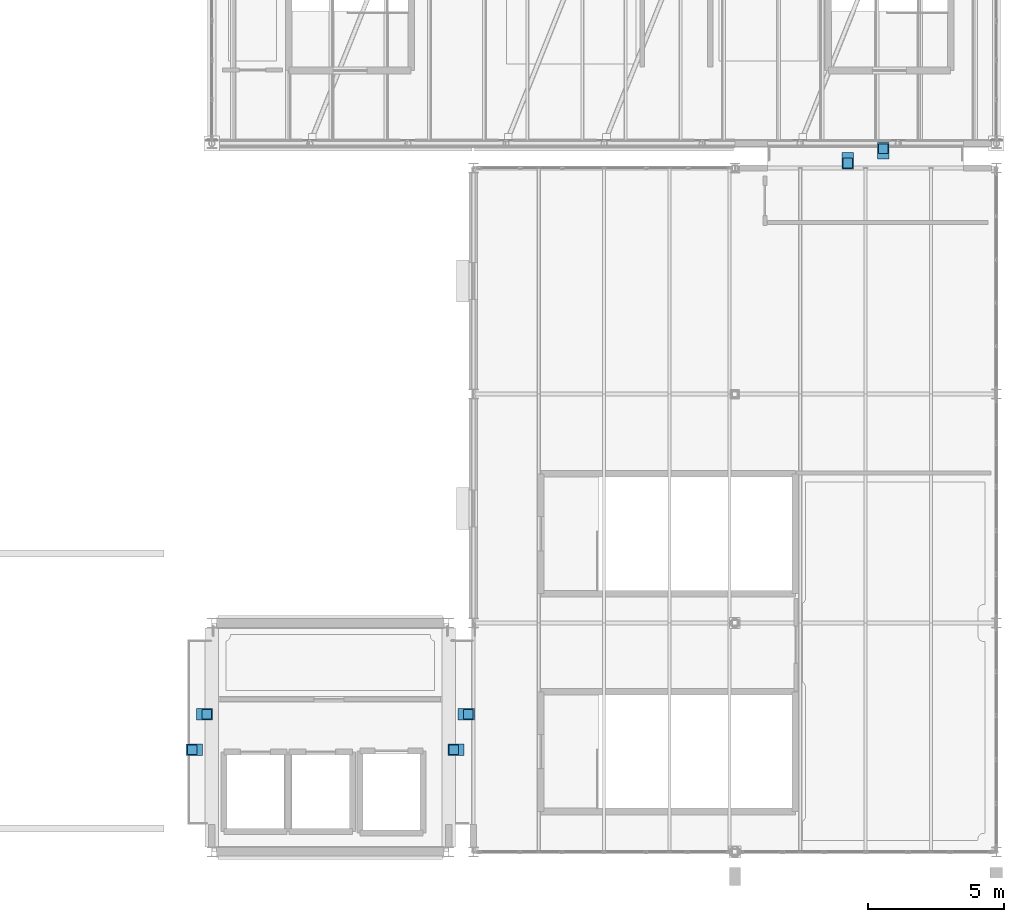
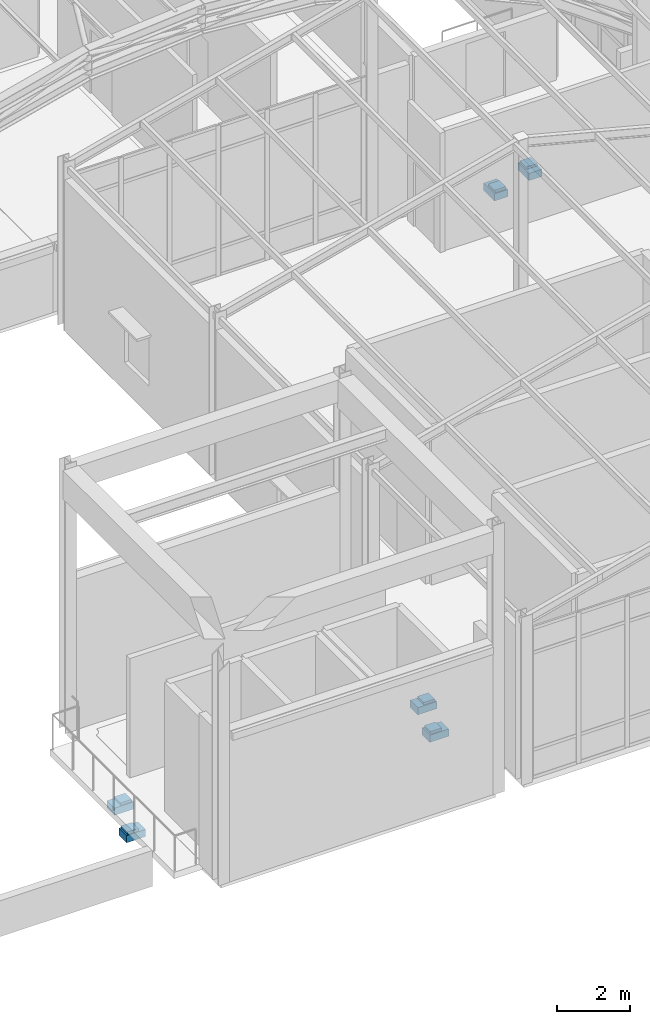
# One storey, part 118 of 121: 12 discrete accessories.
"""IFC4 building model written with IfcOpenShell, lengths in metres."""

from ifc_helpers import new_model, si_unit, direction, frame, origin, origin_2d, place, context, subcontext, project, spatial, rectangle, extrude, material, layer, layer_set, type_object, element, save


model = new_model("IFC4")

# Units and contexts
model_context = context("Model", 3, precision=1e-05, world=origin(), true_north=direction((0.0, 1.0)))
body_context = subcontext(model_context, "Body", "Model", "MODEL_VIEW")
ifc_project = project(units=[si_unit("LENGTHUNIT", "METRE"), si_unit("AREAUNIT", "SQUARE_METRE"), si_unit("VOLUMEUNIT", "CUBIC_METRE"), si_unit("PLANEANGLEUNIT", "RADIAN"), si_unit("MASSUNIT", "GRAM", prefix="KILO")], contexts=[model_context])

# Site, building, storey
site_placement = place(None, origin())
site = spatial("IfcSite", under=ifc_project, at=site_placement, CompositionType="ELEMENT")
building_placement = place(site_placement, origin())
building = spatial("IfcBuilding", under=site, at=building_placement, Name="Canglan Escarpment Cableway Terminal", CompositionType="ELEMENT")
storey_placement = place(building_placement, frame((0.0, 0.0, 24.60009765625)))
storey = spatial("IfcBuildingStorey", under=building, at=storey_placement, Name="L05", CompositionType="ELEMENT", Elevation=24.60009765625)

# Discrete accessories
ifc_material_1 = material(Name="Concrete C40", Category="concrete")
ifc_layer_1 = layer(ifc_material_1, 0.239990234375, Name="Concrete C40")
ifc_layer_set_1 = layer_set([ifc_layer_1], Name="Concrete C40")
discrete_accessory_type_1 = type_object("IfcDiscreteAccessoryType", Name="ACC-CORBEL-CB01", PredefinedType="BRACKET", material=ifc_layer_set_1)
for number, where, z_axis, x_axis, name in (
    (1, (136.9599609375, 11.75, -0.5400390625), (0.0, 0.0, 1.0), (1.0, 0.0, 0.0), "Concrete C40 movement-joint corbel bearing ledge CB-01"),
    (2, (137.3349609375, 13.050048828125, -0.5400390625), (0.0, 0.0, 1.0), (1.0, 0.0, 0.0), "Concrete C40 movement-joint corbel bearing ledge CB-01"),
    (3, (146.56494140625, 11.75, -0.5400390625), (0.0, 0.0, 1.0), (1.0, 0.0, 0.0), "Concrete C40 movement-joint corbel bearing ledge CB-01"),
    (4, (146.93505859375, 13.050048828125, -0.5400390625), (0.0, 0.0, 1.0), (1.0, 0.0, 0.0), "Concrete C40 movement-joint corbel bearing ledge CB-01"),
):
    element("IfcDiscreteAccessory", number, at=place(storey_placement, frame(where, z_axis=z_axis, x_axis=x_axis)), inside=storey, type_object=discrete_accessory_type_1, Name=name, PredefinedType="BRACKET", context=body_context, shape_type="SweptSolid", body=[
        extrude(rectangle(XDim=0.60009765625, YDim=0.419921875, at=origin_2d()), origin(), (0.0, 0.0, 1.0), 0.239990234375),
    ])
for number, where, z_axis, x_axis, name in (
    (5, (160.949951171875, 33.364990234375, -0.5400390625), (0.0, 0.0, 1.0), (1.0, 0.0, 0.0), "Concrete C40 movement-joint corbel bearing ledge CB-01"),
    (6, (162.25, 33.735107421875, -0.5400390625), (0.0, 0.0, 1.0), (1.0, 0.0, 0.0), "Concrete C40 movement-joint corbel bearing ledge CB-01"),
):
    element("IfcDiscreteAccessory", number, at=place(storey_placement, frame(where, z_axis=z_axis, x_axis=x_axis)), inside=storey, type_object=discrete_accessory_type_1, Name=name, PredefinedType="BRACKET", context=body_context, shape_type="SweptSolid", body=[
        extrude(rectangle(XDim=0.419921875, YDim=0.60009765625, at=origin_2d()), origin(), (0.0, 0.0, 1.0), 0.239990234375),
    ])
ifc_material_2 = material(Name="Stainless steel and PTFE elastomer", Category="steel")
ifc_layer_2 = layer(ifc_material_2, 0.080078125, Name="Stainless steel and PTFE elastomer")
ifc_layer_set_2 = layer_set([ifc_layer_2], Name="Stainless steel and PTFE elastomer")
discrete_accessory_type_2 = type_object("IfcDiscreteAccessoryType", Name="BRG-SLIDING-MJ01", PredefinedType="USERDEFINED", material=ifc_layer_set_2)
for number, where, z_axis, x_axis, name in (
    (7, (136.8798828125, 11.75, -0.300048828125), (0.0, 0.0, 1.0), (1.0, 0.0, 0.0), "Unguided PTFE-elastomeric sliding bearing pad MJ-01"),
    (8, (137.4150390625, 13.050048828125, -0.300048828125), (0.0, 0.0, 1.0), (1.0, 0.0, 0.0), "Unguided PTFE-elastomeric sliding bearing pad MJ-01"),
    (9, (146.485107421875, 11.75, -0.300048828125), (0.0, 0.0, 1.0), (1.0, 0.0, 0.0), "Unguided PTFE-elastomeric sliding bearing pad MJ-01"),
    (10, (147.014892578125, 13.050048828125, -0.300048828125), (0.0, 0.0, 1.0), (1.0, 0.0, 0.0), "Unguided PTFE-elastomeric sliding bearing pad MJ-01"),
    (11, (160.949951171875, 33.284912109375, -0.300048828125), (0.0, 0.0, 1.0), (1.0, 0.0, 0.0), "Unguided PTFE-elastomeric sliding bearing pad MJ-01"),
    (12, (162.25, 33.81494140625, -0.300048828125), (0.0, 0.0, 1.0), (1.0, 0.0, 0.0), "Unguided PTFE-elastomeric sliding bearing pad MJ-01"),
):
    element("IfcDiscreteAccessory", number, at=place(storey_placement, frame(where, z_axis=z_axis, x_axis=x_axis)), inside=storey, type_object=discrete_accessory_type_2, Name=name, ObjectType="SLIDING BEARING", PredefinedType="USERDEFINED", context=body_context, shape_type="SweptSolid", body=[
        extrude(rectangle(XDim=0.35009765625, YDim=0.35009765625, at=origin_2d()), origin(), (0.0, 0.0, 1.0), 0.080078125),
    ])

save(model, "model.ifc")
